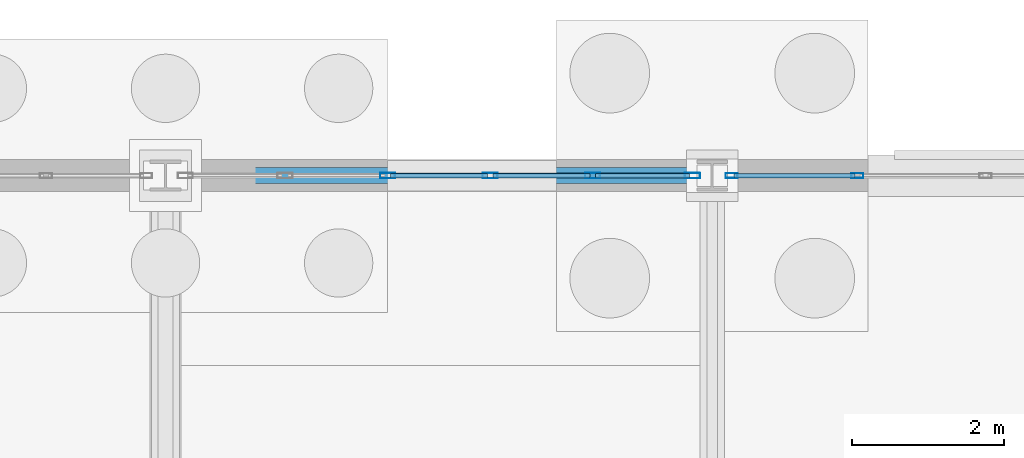
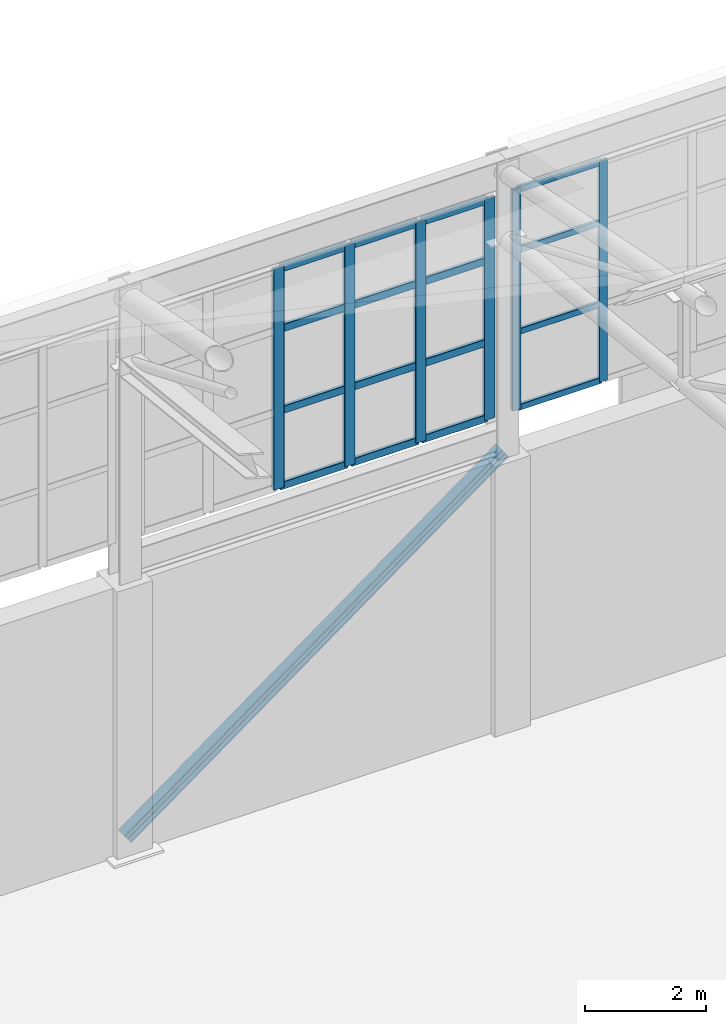
# One storey, part 222 of 293: 23 members, 2 elements without a shape of their own.
"""IFC4 building model written with IfcOpenShell, lengths in metres."""

from ifc_helpers import new_model, si_unit, direction, frame, origin, origin_2d, place, context, subcontext, project, spatial, hollow_rectangle, i_section, extrude, material, layer, layer_set, material_profile, profile_set, type_object, element, aggregate, save


model = new_model("IFC4")

# Units and contexts
model_context = context("Model", 3, precision=1e-05, world=origin(), true_north=direction((0.0, 1.0)))
body_context = subcontext(model_context, "Body", "Model", "MODEL_VIEW")
ifc_project = project(units=[si_unit("LENGTHUNIT", "METRE"), si_unit("AREAUNIT", "SQUARE_METRE"), si_unit("VOLUMEUNIT", "CUBIC_METRE"), si_unit("PLANEANGLEUNIT", "RADIAN"), si_unit("MASSUNIT", "GRAM", prefix="KILO")], contexts=[model_context])

# Site, building, storey
site_placement = place(None, origin())
site = spatial("IfcSite", under=ifc_project, at=site_placement, CompositionType="ELEMENT")
building_placement = place(site_placement, origin())
building = spatial("IfcBuilding", under=site, at=building_placement, Name="Kemerveld Promenade Tramway Depot", CompositionType="ELEMENT")
storey_placement = place(building_placement, origin())
storey = spatial("IfcBuildingStorey", under=building, at=storey_placement, Name="L00", CompositionType="ELEMENT", Elevation=0.0)

# Curtain wall, members
ifc_material_1 = material(Name="Bronze anodised aluminium and solar glass", Category="aluminium")
ifc_layer_1 = layer(ifc_material_1, 0.159912109375)
ifc_layer_set_1 = layer_set([ifc_layer_1], Name="CW-SYS-03")
curtain_wall_type_1 = type_object("IfcCurtainWallType", Name="CW-SYS-03", PredefinedType="USERDEFINED", material=ifc_layer_set_1)
curtain_wall_1_placement = place(storey_placement, origin())
curtain_wall_1 = element("IfcCurtainWall", 1, at=curtain_wall_1_placement, inside=storey, type_object=curtain_wall_type_1, Name="CW-V1-N-17", ObjectType="GLAZED_CURTAIN_WALL", PredefinedType="USERDEFINED")
ifc_material_2 = material(Name="Bronze anodised aluminium", Category="aluminium")
ifc_material_profile_1 = material_profile(ifc_material_2, hollow_rectangle(XDim=0.06494140625, YDim=0.159912109375, WallThickness=0.00390625, InnerFilletRadius=0.001953125, OuterFilletRadius=0.00390625, at=origin_2d()), Name="CW-MUL-160x65")
ifc_profile_set_1 = profile_set([ifc_material_profile_1], Name="Bronze anodised aluminium")
member_type_1 = type_object("IfcMemberType", Name="CW-MUL-A", PredefinedType="MULLION", material=ifc_profile_set_1)
member_1_placement = place(storey_placement, frame((151.455810546875, 144.0, 6.199951171875), z_axis=(0.0, 0.0, 1.0), x_axis=(0.0, 1.0, 0.0)))
member_1 = element("IfcMember", 2, at=member_1_placement, type_object=member_type_1, Name="CW03 mullion 1", PredefinedType="MULLION", context=body_context, shape_type="SweptSolid", body=[
    extrude(hollow_rectangle(XDim=0.06494140625, YDim=0.159912109375, WallThickness=0.00390625, InnerFilletRadius=0.001953125, OuterFilletRadius=0.00390625, at=origin_2d()), origin(), (0.0, 0.0, 1.0), 4.449951171875),
])
member_2_placement = place(storey_placement, frame((153.111572265625, 144.0, 6.199951171875), z_axis=(0.0, 0.0, 1.0), x_axis=(0.0, 1.0, 0.0)))
member_2 = element("IfcMember", 3, at=member_2_placement, type_object=member_type_1, Name="CW03 mullion 2", PredefinedType="MULLION", context=body_context, shape_type="SweptSolid", body=[
    extrude(hollow_rectangle(XDim=0.06494140625, YDim=0.159912109375, WallThickness=0.00390625, InnerFilletRadius=0.001953125, OuterFilletRadius=0.00390625, at=origin_2d()), origin(), (0.0, 0.0, 1.0), 4.449951171875),
])

ifc_layer_2 = layer(ifc_material_1, 0.199951171875)
ifc_layer_set_2 = layer_set([ifc_layer_2], Name="CW-SYS-02")
curtain_wall_type_2 = type_object("IfcCurtainWallType", Name="CW-SYS-02", PredefinedType="USERDEFINED", material=ifc_layer_set_2)
curtain_wall_2_placement = place(storey_placement, origin())
curtain_wall_2 = element("IfcCurtainWall", 4, at=curtain_wall_2_placement, inside=storey, type_object=curtain_wall_type_2, Name="CW-V1-N-16", ObjectType="GLAZED_CURTAIN_WALL", PredefinedType="USERDEFINED")
ifc_material_profile_2 = material_profile(ifc_material_2, hollow_rectangle(XDim=0.074951171875, YDim=0.199951171875, WallThickness=0.0048828125, InnerFilletRadius=0.001953125, OuterFilletRadius=0.0048828125, at=origin_2d()), Name="CW-MUL-200x75")
ifc_profile_set_2 = profile_set([ifc_material_profile_2], Name="Bronze anodised aluminium")
member_type_2 = type_object("IfcMemberType", Name="CW-MUL-B", PredefinedType="MULLION", material=ifc_profile_set_2)
member_3_placement = place(storey_placement, frame((146.924560546875, 144.0, 6.199951171875), z_axis=(0.0, 0.0, 1.0), x_axis=(0.0, 1.0, 0.0)))
member_3 = element("IfcMember", 5, at=member_3_placement, type_object=member_type_2, Name="CW02 mullion 3", PredefinedType="MULLION", context=body_context, shape_type="SweptSolid", body=[
    extrude(hollow_rectangle(XDim=0.074951171875, YDim=0.199951171875, WallThickness=0.0048828125, InnerFilletRadius=0.001953125, OuterFilletRadius=0.0048828125, at=origin_2d()), origin(), (0.0, 0.0, 1.0), 4.449951171875),
])
member_4_placement = place(storey_placement, frame((148.275390625, 144.0, 6.199951171875), z_axis=(0.0, 0.0, 1.0), x_axis=(0.0, 1.0, 0.0)))
member_4 = element("IfcMember", 6, at=member_4_placement, type_object=member_type_2, Name="CW02 mullion 4", PredefinedType="MULLION", context=body_context, shape_type="SweptSolid", body=[
    extrude(hollow_rectangle(XDim=0.074951171875, YDim=0.199951171875, WallThickness=0.0048828125, InnerFilletRadius=0.001953125, OuterFilletRadius=0.0048828125, at=origin_2d()), origin(), (0.0, 0.0, 1.0), 4.449951171875),
])
member_5_placement = place(storey_placement, frame((149.6259765625, 144.0, 6.199951171875), z_axis=(0.0, 0.0, 1.0), x_axis=(0.0, 1.0, 0.0)))
member_5 = element("IfcMember", 7, at=member_5_placement, type_object=member_type_2, Name="CW02 mullion 5", PredefinedType="MULLION", context=body_context, shape_type="SweptSolid", body=[
    extrude(hollow_rectangle(XDim=0.074951171875, YDim=0.199951171875, WallThickness=0.0048828125, InnerFilletRadius=0.001953125, OuterFilletRadius=0.0048828125, at=origin_2d()), origin(), (0.0, 0.0, 1.0), 4.449951171875),
])
member_6_placement = place(storey_placement, frame((150.939208984375, 144.0, 6.199951171875), z_axis=(0.0, 0.0, 1.0), x_axis=(0.0, 1.0, 0.0)))
member_6 = element("IfcMember", 8, at=member_6_placement, type_object=member_type_2, Name="CW02 mullion 6", PredefinedType="MULLION", context=body_context, shape_type="SweptSolid", body=[
    extrude(hollow_rectangle(XDim=0.074951171875, YDim=0.199951171875, WallThickness=0.0048828125, InnerFilletRadius=0.001953125, OuterFilletRadius=0.0048828125, at=origin_2d()), origin(), (0.0, 0.0, 1.0), 4.449951171875),
])

# Member
ifc_material_profile_3 = material_profile(ifc_material_2, hollow_rectangle(XDim=0.06005859375, YDim=0.1201171875, WallThickness=0.00390625, InnerFilletRadius=0.001953125, OuterFilletRadius=0.00390625, at=origin_2d()), Name="CW-TRN-120x60")
ifc_profile_set_3 = profile_set([ifc_material_profile_3], Name="Bronze anodised aluminium")
member_type_3 = type_object("IfcMemberType", Name="CW-TRN-A", PredefinedType="USERDEFINED", material=ifc_profile_set_3)
member_7_placement = place(storey_placement, frame((151.48828125, 144.0, 6.22998046875), z_axis=(1.0, 0.0, 0.0), x_axis=(0.0, 1.0, 0.0)))
member_7 = element("IfcMember", 9, at=member_7_placement, type_object=member_type_3, Name="CW03 transom 1.1", ObjectType="TRANSOM", PredefinedType="USERDEFINED", context=body_context, shape_type="SweptSolid", body=[
    extrude(hollow_rectangle(XDim=0.06005859375, YDim=0.1201171875, WallThickness=0.00390625, InnerFilletRadius=0.001953125, OuterFilletRadius=0.00390625, at=origin_2d()), origin(), (0.0, 0.0, 1.0), 1.5908203125),
])

member_8_placement = place(storey_placement, frame((151.48828125, 144.0, 7.758056640625), z_axis=(1.0, 0.0, 0.0), x_axis=(0.0, 1.0, 0.0)))
member_8 = element("IfcMember", 10, at=member_8_placement, type_object=member_type_3, Name="CW03 transom 1.2", ObjectType="TRANSOM", PredefinedType="USERDEFINED", context=body_context, shape_type="SweptSolid", body=[
    extrude(hollow_rectangle(XDim=0.06005859375, YDim=0.1201171875, WallThickness=0.00390625, InnerFilletRadius=0.001953125, OuterFilletRadius=0.00390625, at=origin_2d()), origin(), (0.0, 0.0, 1.0), 1.5908203125),
])

member_9_placement = place(storey_placement, frame((151.48828125, 144.0, 9.404052734375), z_axis=(1.0, 0.0, 0.0), x_axis=(0.0, 1.0, 0.0)))
member_9 = element("IfcMember", 11, at=member_9_placement, type_object=member_type_3, Name="CW03 transom 1.3", ObjectType="TRANSOM", PredefinedType="USERDEFINED", context=body_context, shape_type="SweptSolid", body=[
    extrude(hollow_rectangle(XDim=0.06005859375, YDim=0.1201171875, WallThickness=0.00390625, InnerFilletRadius=0.001953125, OuterFilletRadius=0.00390625, at=origin_2d()), origin(), (0.0, 0.0, 1.0), 1.5908203125),
])

member_10_placement = place(storey_placement, frame((151.48828125, 144.0, 10.6201171875), z_axis=(1.0, 0.0, 0.0), x_axis=(0.0, 1.0, 0.0)))
member_10 = element("IfcMember", 12, at=member_10_placement, type_object=member_type_3, Name="CW03 transom 1.4", ObjectType="TRANSOM", PredefinedType="USERDEFINED", context=body_context, shape_type="SweptSolid", body=[
    extrude(hollow_rectangle(XDim=0.06005859375, YDim=0.1201171875, WallThickness=0.00390625, InnerFilletRadius=0.001953125, OuterFilletRadius=0.00390625, at=origin_2d()), origin(), (0.0, 0.0, 1.0), 1.5908203125),
])

aggregate(curtain_wall_1, [member_1, member_2, member_7, member_8, member_9, member_10])

ifc_material_profile_4 = material_profile(ifc_material_2, hollow_rectangle(XDim=0.06494140625, YDim=0.14990234375, WallThickness=0.00439453125, InnerFilletRadius=0.001953125, OuterFilletRadius=0.00439453125, at=origin_2d()), Name="CW-TRN-150x65")
ifc_profile_set_4 = profile_set([ifc_material_profile_4], Name="Bronze anodised aluminium")
member_type_4 = type_object("IfcMemberType", Name="CW-TRN-B", PredefinedType="USERDEFINED", material=ifc_profile_set_4)
member_11_placement = place(storey_placement, frame((146.962158203125, 144.0, 6.232421875), z_axis=(1.0, 0.0, 0.0), x_axis=(0.0, 1.0, 0.0)))
member_11 = element("IfcMember", 13, at=member_11_placement, type_object=member_type_4, Name="CW02 transom 3.1", ObjectType="TRANSOM", PredefinedType="USERDEFINED", context=body_context, shape_type="SweptSolid", body=[
    extrude(hollow_rectangle(XDim=0.06494140625, YDim=0.14990234375, WallThickness=0.00439453125, InnerFilletRadius=0.001953125, OuterFilletRadius=0.00439453125, at=origin_2d()), origin(), (0.0, 0.0, 1.0), 1.275634765625),
])

member_12_placement = place(storey_placement, frame((146.962158203125, 144.0, 7.758056640625), z_axis=(1.0, 0.0, 0.0), x_axis=(0.0, 1.0, 0.0)))
member_12 = element("IfcMember", 14, at=member_12_placement, type_object=member_type_4, Name="CW02 transom 3.2", ObjectType="TRANSOM", PredefinedType="USERDEFINED", context=body_context, shape_type="SweptSolid", body=[
    extrude(hollow_rectangle(XDim=0.06494140625, YDim=0.14990234375, WallThickness=0.00439453125, InnerFilletRadius=0.001953125, OuterFilletRadius=0.00439453125, at=origin_2d()), origin(), (0.0, 0.0, 1.0), 1.275634765625),
])

member_13_placement = place(storey_placement, frame((146.962158203125, 144.0, 9.404052734375), z_axis=(1.0, 0.0, 0.0), x_axis=(0.0, 1.0, 0.0)))
member_13 = element("IfcMember", 15, at=member_13_placement, type_object=member_type_4, Name="CW02 transom 3.3", ObjectType="TRANSOM", PredefinedType="USERDEFINED", context=body_context, shape_type="SweptSolid", body=[
    extrude(hollow_rectangle(XDim=0.06494140625, YDim=0.14990234375, WallThickness=0.00439453125, InnerFilletRadius=0.001953125, OuterFilletRadius=0.00439453125, at=origin_2d()), origin(), (0.0, 0.0, 1.0), 1.275634765625),
])

member_14_placement = place(storey_placement, frame((146.962158203125, 144.0, 10.617431640625), z_axis=(1.0, 0.0, 0.0), x_axis=(0.0, 1.0, 0.0)))
member_14 = element("IfcMember", 16, at=member_14_placement, type_object=member_type_4, Name="CW02 transom 3.4", ObjectType="TRANSOM", PredefinedType="USERDEFINED", context=body_context, shape_type="SweptSolid", body=[
    extrude(hollow_rectangle(XDim=0.06494140625, YDim=0.14990234375, WallThickness=0.00439453125, InnerFilletRadius=0.001953125, OuterFilletRadius=0.00439453125, at=origin_2d()), origin(), (0.0, 0.0, 1.0), 1.275634765625),
])

member_15_placement = place(storey_placement, frame((148.312744140625, 144.0, 6.232421875), z_axis=(1.0, 0.0, 0.0), x_axis=(0.0, 1.0, 0.0)))
member_15 = element("IfcMember", 17, at=member_15_placement, type_object=member_type_4, Name="CW02 transom 4.1", ObjectType="TRANSOM", PredefinedType="USERDEFINED", context=body_context, shape_type="SweptSolid", body=[
    extrude(hollow_rectangle(XDim=0.06494140625, YDim=0.14990234375, WallThickness=0.00439453125, InnerFilletRadius=0.001953125, OuterFilletRadius=0.00439453125, at=origin_2d()), origin(), (0.0, 0.0, 1.0), 1.27587890625),
])

member_16_placement = place(storey_placement, frame((148.312744140625, 144.0, 7.758056640625), z_axis=(1.0, 0.0, 0.0), x_axis=(0.0, 1.0, 0.0)))
member_16 = element("IfcMember", 18, at=member_16_placement, type_object=member_type_4, Name="CW02 transom 4.2", ObjectType="TRANSOM", PredefinedType="USERDEFINED", context=body_context, shape_type="SweptSolid", body=[
    extrude(hollow_rectangle(XDim=0.06494140625, YDim=0.14990234375, WallThickness=0.00439453125, InnerFilletRadius=0.001953125, OuterFilletRadius=0.00439453125, at=origin_2d()), origin(), (0.0, 0.0, 1.0), 1.27587890625),
])

member_17_placement = place(storey_placement, frame((148.312744140625, 144.0, 9.404052734375), z_axis=(1.0, 0.0, 0.0), x_axis=(0.0, 1.0, 0.0)))
member_17 = element("IfcMember", 19, at=member_17_placement, type_object=member_type_4, Name="CW02 transom 4.3", ObjectType="TRANSOM", PredefinedType="USERDEFINED", context=body_context, shape_type="SweptSolid", body=[
    extrude(hollow_rectangle(XDim=0.06494140625, YDim=0.14990234375, WallThickness=0.00439453125, InnerFilletRadius=0.001953125, OuterFilletRadius=0.00439453125, at=origin_2d()), origin(), (0.0, 0.0, 1.0), 1.27587890625),
])

member_18_placement = place(storey_placement, frame((148.312744140625, 144.0, 10.617431640625), z_axis=(1.0, 0.0, 0.0), x_axis=(0.0, 1.0, 0.0)))
member_18 = element("IfcMember", 20, at=member_18_placement, type_object=member_type_4, Name="CW02 transom 4.4", ObjectType="TRANSOM", PredefinedType="USERDEFINED", context=body_context, shape_type="SweptSolid", body=[
    extrude(hollow_rectangle(XDim=0.06494140625, YDim=0.14990234375, WallThickness=0.00439453125, InnerFilletRadius=0.001953125, OuterFilletRadius=0.00439453125, at=origin_2d()), origin(), (0.0, 0.0, 1.0), 1.27587890625),
])

member_19_placement = place(storey_placement, frame((149.66357421875, 144.0, 6.232421875), z_axis=(1.0, 0.0, 0.0), x_axis=(0.0, 1.0, 0.0)))
member_19 = element("IfcMember", 21, at=member_19_placement, type_object=member_type_4, Name="CW02 transom 5.1", ObjectType="TRANSOM", PredefinedType="USERDEFINED", context=body_context, shape_type="SweptSolid", body=[
    extrude(hollow_rectangle(XDim=0.06494140625, YDim=0.14990234375, WallThickness=0.00439453125, InnerFilletRadius=0.001953125, OuterFilletRadius=0.00439453125, at=origin_2d()), origin(), (0.0, 0.0, 1.0), 1.23828125),
])

member_20_placement = place(storey_placement, frame((149.66357421875, 144.0, 7.758056640625), z_axis=(1.0, 0.0, 0.0), x_axis=(0.0, 1.0, 0.0)))
member_20 = element("IfcMember", 22, at=member_20_placement, type_object=member_type_4, Name="CW02 transom 5.2", ObjectType="TRANSOM", PredefinedType="USERDEFINED", context=body_context, shape_type="SweptSolid", body=[
    extrude(hollow_rectangle(XDim=0.06494140625, YDim=0.14990234375, WallThickness=0.00439453125, InnerFilletRadius=0.001953125, OuterFilletRadius=0.00439453125, at=origin_2d()), origin(), (0.0, 0.0, 1.0), 1.23828125),
])

member_21_placement = place(storey_placement, frame((149.66357421875, 144.0, 9.404052734375), z_axis=(1.0, 0.0, 0.0), x_axis=(0.0, 1.0, 0.0)))
member_21 = element("IfcMember", 23, at=member_21_placement, type_object=member_type_4, Name="CW02 transom 5.3", ObjectType="TRANSOM", PredefinedType="USERDEFINED", context=body_context, shape_type="SweptSolid", body=[
    extrude(hollow_rectangle(XDim=0.06494140625, YDim=0.14990234375, WallThickness=0.00439453125, InnerFilletRadius=0.001953125, OuterFilletRadius=0.00439453125, at=origin_2d()), origin(), (0.0, 0.0, 1.0), 1.23828125),
])

member_22_placement = place(storey_placement, frame((149.66357421875, 144.0, 10.617431640625), z_axis=(1.0, 0.0, 0.0), x_axis=(0.0, 1.0, 0.0)))
member_22 = element("IfcMember", 24, at=member_22_placement, type_object=member_type_4, Name="CW02 transom 5.4", ObjectType="TRANSOM", PredefinedType="USERDEFINED", context=body_context, shape_type="SweptSolid", body=[
    extrude(hollow_rectangle(XDim=0.06494140625, YDim=0.14990234375, WallThickness=0.00439453125, InnerFilletRadius=0.001953125, OuterFilletRadius=0.00439453125, at=origin_2d()), origin(), (0.0, 0.0, 1.0), 1.23828125),
])

aggregate(curtain_wall_2, [member_3, member_4, member_5, member_6, member_11, member_12, member_13, member_14, member_15, member_16, member_17, member_18, member_19, member_20, member_21, member_22])

ifc_material_3 = material(Name="Steel S355", Category="steel")
ifc_material_profile_5 = material_profile(ifc_material_3, i_section(OverallWidth=0.208984375, OverallDepth=0.22216796875, WebThickness=0.0126953125, FlangeThickness=0.0205078125, FilletRadius=0.01025390625, at=origin_2d()), Name="203x203x86 UC")
ifc_profile_set_5 = profile_set([ifc_material_profile_5], Name="Steel S355")
member_type_5 = type_object("IfcMemberType", Name="MB-TB5", PredefinedType="BRACE", material=ifc_profile_set_5)
member_23_placement = place(storey_placement, frame((144.0, 144.0, 0.199951171875), z_axis=(0.807288292304, 0.0, 0.590157278281), x_axis=(0.0, 1.0, 0.0)))
element("IfcMember", 25, at=member_23_placement, inside=storey, type_object=member_type_5, Name="BR-SHED-WALL-U-21-A", PredefinedType="BRACE", context=body_context, shape_type="SweptSolid", body=[
    extrude(i_section(OverallWidth=0.208984375, OverallDepth=0.22216796875, WebThickness=0.0126953125, FlangeThickness=0.0205078125, FilletRadius=0.01025390625, at=origin_2d()), origin(), (0.0, 0.0, 1.0), 8.918701171875),
])

save(model, "model.ifc")
